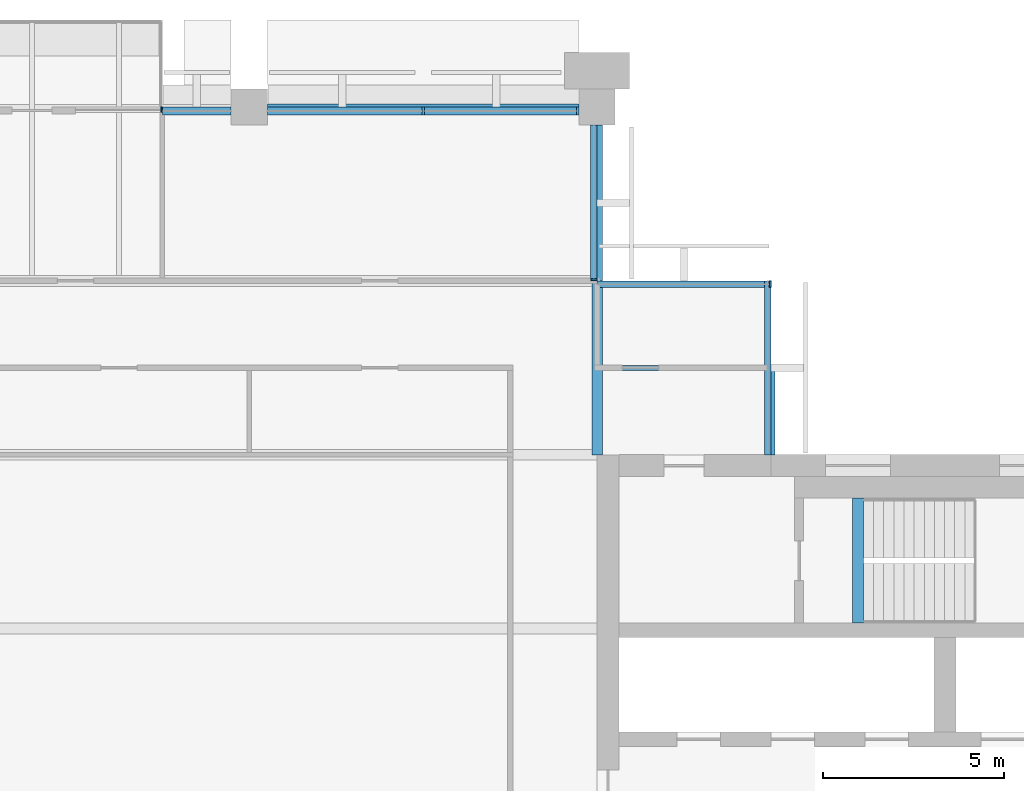
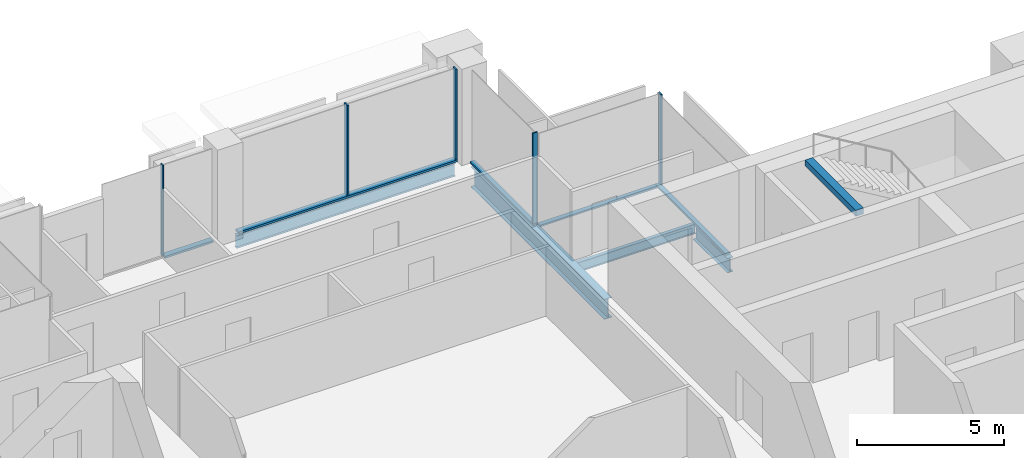
# One storey, part 6 of 14: 10 members, 5 beams, 5 elements without a shape of their own.
"""IFC4 building model written with IfcOpenShell, lengths in metres."""

from ifc_helpers import new_model, si_unit, direction, frame, origin, origin_2d, place, context, subcontext, project, spatial, rectangle, i_section, extrude, material, material_profile, profile_set, type_object, element, aggregate, save


model = new_model("IFC4")

# Units and contexts
model_context = context("Model", 3, precision=1e-05, world=origin(), true_north=direction((0.0, 1.0)))
body_context = subcontext(model_context, "Body", "Model", "MODEL_VIEW")
ifc_project = project(units=[si_unit("LENGTHUNIT", "METRE"), si_unit("AREAUNIT", "SQUARE_METRE"), si_unit("VOLUMEUNIT", "CUBIC_METRE"), si_unit("PLANEANGLEUNIT", "RADIAN"), si_unit("MASSUNIT", "GRAM", prefix="KILO")], contexts=[model_context])

# Site, building, storey
site_placement = place(None, origin())
site = spatial("IfcSite", under=ifc_project, at=site_placement, CompositionType="ELEMENT")
building_placement = place(site_placement, origin())
building = spatial("IfcBuilding", under=site, at=building_placement, Name="Baori Bourse Tower", CompositionType="ELEMENT")
storey_placement = place(building_placement, frame((0.0, 0.0, 290.300048828125)))
storey = spatial("IfcBuildingStorey", under=building, at=storey_placement, Name="L63", CompositionType="ELEMENT", Elevation=290.300048828125)

# Curtain wall, member
ifc_material_1 = material(Name="Pale anodised aluminium", Category="aluminium")
curtain_wall_type_1 = type_object("IfcCurtainWallType", Name="CW2 Curtain wall", PredefinedType="NOTDEFINED", material=ifc_material_1)
curtain_wall_1_placement = place(storey_placement, origin())
curtain_wall_1 = element("IfcCurtainWall", 1, at=curtain_wall_1_placement, inside=storey, type_object=curtain_wall_type_1, Name="Curtain wall CW2 L63 2", PredefinedType="NOTDEFINED")
ifc_material_2 = material(Name="Pale anodised aluminium", Category="aluminium")
ifc_material_profile_1 = material_profile(ifc_material_2, rectangle(XDim=0.179931640625, YDim=0.054931640625, at=origin_2d()), Name="Mullion 55x180")
ifc_profile_set_1 = profile_set([ifc_material_profile_1], Name="Pale anodised aluminium")
member_type_1 = type_object("IfcMemberType", Name="CW2 Curtain wall mullion", PredefinedType="MULLION", material=ifc_profile_set_1)
member_1_placement = place(storey_placement, frame((43.172607421875, 43.110107421875, 0.070068359375), z_axis=(0.0, 0.0, 1.0), x_axis=(0.0, -1.0, 0.0)))
member_1 = element("IfcMember", 2, at=member_1_placement, type_object=member_type_1, Name="Curtain wall CW2 mullion", PredefinedType="MULLION", context=body_context, shape_type="SweptSolid", body=[
    extrude(rectangle(XDim=0.179931640625, YDim=0.054931640625, at=origin_2d()), origin(), (0.0, 0.0, 1.0), 3.769775390625),
])

curtain_wall_2_placement = place(storey_placement, origin())
curtain_wall_2 = element("IfcCurtainWall", 3, at=curtain_wall_2_placement, inside=storey, type_object=curtain_wall_type_1, Name="Curtain wall CW2 L63 3", PredefinedType="NOTDEFINED")
member_2_placement = place(storey_placement, frame((38.31005859375, 43.2275390625, 0.070068359375), z_axis=(0.0, 0.0, 1.0), x_axis=(-1.0, 0.0, 0.0)))
member_2 = element("IfcMember", 4, at=member_2_placement, type_object=member_type_1, Name="Curtain wall CW2 mullion", PredefinedType="MULLION", context=body_context, shape_type="SweptSolid", body=[
    extrude(rectangle(XDim=0.179931640625, YDim=0.054931640625, at=origin_2d()), origin(), (0.0, 0.0, 1.0), 3.769775390625),
])

curtain_wall_3_placement = place(storey_placement, origin())
curtain_wall_3 = element("IfcCurtainWall", 5, at=curtain_wall_3_placement, inside=storey, type_object=curtain_wall_type_1, Name="Curtain wall CW2 L63 1", PredefinedType="NOTDEFINED")
ifc_material_3 = material(Name="Pale anodised aluminium", Category="aluminium")
ifc_material_profile_2 = material_profile(ifc_material_3, rectangle(XDim=0.179931640625, YDim=0.070068359375, at=origin_2d()), Name="Transom 70x180")
ifc_profile_set_2 = profile_set([ifc_material_profile_2], Name="Pale anodised aluminium")
member_type_2 = type_object("IfcMemberType", Name="CW2 Curtain wall transom", PredefinedType="USERDEFINED", material=ifc_profile_set_2)
member_3_placement = place(storey_placement, frame((43.110107421875, 38.39990234375, 0.034912109375), z_axis=(0.0, 1.0, 0.0), x_axis=(-1.0, 0.0, 0.0)))
member_3 = element("IfcMember", 6, at=member_3_placement, type_object=member_type_2, Name="Curtain wall CW2 sill rail", ObjectType="TRANSOM", PredefinedType="USERDEFINED", context=body_context, shape_type="SweptSolid", body=[
    extrude(rectangle(XDim=0.179931640625, YDim=0.070068359375, at=origin_2d()), origin(), (0.0, 0.0, 1.0), 4.800048828125),
])
aggregate(curtain_wall_3, [member_3])

# Member
member_4_placement = place(storey_placement, frame((43.199951171875, 43.110107421875, 0.034912109375), z_axis=(-1.0, 0.0, 0.0), x_axis=(0.0, -1.0, 0.0)))
member_4 = element("IfcMember", 7, at=member_4_placement, type_object=member_type_2, Name="Curtain wall CW2 sill rail", ObjectType="TRANSOM", PredefinedType="USERDEFINED", context=body_context, shape_type="SweptSolid", body=[
    extrude(rectangle(XDim=0.179931640625, YDim=0.070068359375, at=origin_2d()), origin(), (0.0, 0.0, 1.0), 4.800048828125),
])

aggregate(curtain_wall_1, [member_4, member_1])

member_5_placement = place(storey_placement, frame((38.31005859375, 43.199951171875, 0.034912109375), z_axis=(0.0, 1.0, 0.0), x_axis=(-1.0, 0.0, 0.0)))
member_5 = element("IfcMember", 8, at=member_5_placement, type_object=member_type_2, Name="Curtain wall CW2 sill rail", ObjectType="TRANSOM", PredefinedType="USERDEFINED", context=body_context, shape_type="SweptSolid", body=[
    extrude(rectangle(XDim=0.179931640625, YDim=0.070068359375, at=origin_2d()), origin(), (0.0, 0.0, 1.0), 4.300048828125),
])

aggregate(curtain_wall_2, [member_5, member_2])

# Curtain wall, members
ifc_material_4 = material(Name="Pale anodised aluminium", Category="aluminium")
curtain_wall_type_2 = type_object("IfcCurtainWallType", Name="CW5 Curtain wall", PredefinedType="NOTDEFINED", material=ifc_material_4)
curtain_wall_4_placement = place(storey_placement, origin())
curtain_wall_4 = element("IfcCurtainWall", 9, at=curtain_wall_4_placement, inside=storey, type_object=curtain_wall_type_2, Name="Curtain wall CW5 L63 4", PredefinedType="NOTDEFINED")
ifc_material_5 = material(Name="Pale anodised aluminium", Category="aluminium")
ifc_material_profile_3 = material_profile(ifc_material_5, rectangle(XDim=0.219970703125, YDim=0.06494140625, at=origin_2d()), Name="Mullion 65x220")
ifc_profile_set_3 = profile_set([ifc_material_profile_3], Name="Pale anodised aluminium")
member_type_3 = type_object("IfcMemberType", Name="CW5 Curtain wall mullion", PredefinedType="MULLION", material=ifc_profile_set_3)
member_6_placement = place(storey_placement, frame((37.867431640625, 47.889892578125, 0.0849609375), z_axis=(0.0, 0.0, 1.0), x_axis=(0.0, -1.0, 0.0)))
member_6 = element("IfcMember", 10, at=member_6_placement, type_object=member_type_3, Name="Curtain wall CW5 mullion", PredefinedType="MULLION", context=body_context, shape_type="SweptSolid", body=[
    extrude(rectangle(XDim=0.219970703125, YDim=0.06494140625, at=origin_2d()), origin(), (0.0, 0.0, 1.0), 3.7548828125),
])
member_7_placement = place(storey_placement, frame((33.60009765625, 47.889892578125, 0.0849609375), z_axis=(0.0, 0.0, 1.0), x_axis=(0.0, -1.0, 0.0)))
member_7 = element("IfcMember", 11, at=member_7_placement, type_object=member_type_3, Name="Curtain wall CW5 mullion", PredefinedType="MULLION", context=body_context, shape_type="SweptSolid", body=[
    extrude(rectangle(XDim=0.219970703125, YDim=0.06494140625, at=origin_2d()), origin(), (0.0, 0.0, 1.0), 3.7548828125),
])
ifc_material_6 = material(Name="Pale anodised aluminium", Category="aluminium")
ifc_material_profile_4 = material_profile(ifc_material_6, rectangle(XDim=0.219970703125, YDim=0.0849609375, at=origin_2d()), Name="Transom 85x220")
ifc_profile_set_4 = profile_set([ifc_material_profile_4], Name="Pale anodised aluminium")
member_type_4 = type_object("IfcMemberType", Name="CW5 Curtain wall transom", PredefinedType="USERDEFINED", material=ifc_profile_set_4)
member_8_placement = place(storey_placement, frame((37.89990234375, 47.889892578125, 0.04248046875), z_axis=(-1.0, 0.0, 0.0), x_axis=(0.0, -1.0, 0.0)))
member_8 = element("IfcMember", 12, at=member_8_placement, type_object=member_type_4, Name="Curtain wall CW5 sill rail", ObjectType="TRANSOM", PredefinedType="USERDEFINED", context=body_context, shape_type="SweptSolid", body=[
    extrude(rectangle(XDim=0.219970703125, YDim=0.0849609375, at=origin_2d()), origin(), (0.0, 0.0, 1.0), 8.599853515625),
])
member_9_placement = place(storey_placement, frame((28.300048828125, 47.889892578125, 0.04248046875), z_axis=(-1.0, 0.0, 0.0), x_axis=(0.0, -1.0, 0.0)))
member_9 = element("IfcMember", 13, at=member_9_placement, type_object=member_type_4, Name="Curtain wall CW5 sill rail", ObjectType="TRANSOM", PredefinedType="USERDEFINED", context=body_context, shape_type="SweptSolid", body=[
    extrude(rectangle(XDim=0.219970703125, YDim=0.0849609375, at=origin_2d()), origin(), (0.0, 0.0, 1.0), 1.900146484375),
])
aggregate(curtain_wall_4, [member_8, member_6, member_7, member_9])

# Curtain wall, member
ifc_material_7 = material(Name="Pale anodised aluminium", Category="aluminium")
curtain_wall_type_3 = type_object("IfcCurtainWallType", Name="CW6 Curtain wall", PredefinedType="NOTDEFINED", material=ifc_material_7)
curtain_wall_5_placement = place(storey_placement, origin())
curtain_wall_5 = element("IfcCurtainWall", 14, at=curtain_wall_5_placement, inside=storey, type_object=curtain_wall_type_3, Name="Curtain wall CW6 L63 5", PredefinedType="NOTDEFINED")
ifc_material_8 = material(Name="Pale anodised aluminium", Category="aluminium")
ifc_material_profile_5 = material_profile(ifc_material_8, rectangle(XDim=0.14990234375, YDim=0.050048828125, at=origin_2d()), Name="Mullion 50x150")
ifc_profile_set_5 = profile_set([ifc_material_profile_5], Name="Pale anodised aluminium")
member_type_5 = type_object("IfcMemberType", Name="CW6 Curtain wall mullion", PredefinedType="MULLION", material=ifc_profile_set_5)
member_10_placement = place(storey_placement, frame((26.375, 47.925048828125, 0.06494140625), z_axis=(0.0, 0.0, 1.0), x_axis=(0.0, -1.0, 0.0)))
member_10 = element("IfcMember", 15, at=member_10_placement, type_object=member_type_5, Name="Curtain wall CW6 mullion", PredefinedType="MULLION", context=body_context, shape_type="SweptSolid", body=[
    extrude(rectangle(XDim=0.14990234375, YDim=0.050048828125, at=origin_2d()), origin(), (0.0, 0.0, 1.0), 3.77490234375),
])
aggregate(curtain_wall_5, [member_10])

# Beams
ifc_material_9 = material(Name="Steel A992 Gr 50", Category="steel")
ifc_material_profile_6 = material_profile(ifc_material_9, i_section(OverallWidth=0.227783203125, OverallDepth=0.60205078125, WebThickness=0.010498046875, FlangeThickness=0.014892578125, at=origin_2d()), Name="W24x68")
ifc_profile_set_6 = profile_set([ifc_material_profile_6], Name="Steel A992 Gr 50")
beam_type_1 = type_object("IfcBeamType", Name="Core bracket W24x68", PredefinedType="BEAM", material=ifc_profile_set_6)
beam_1_placement = place(storey_placement, frame((43.199951171875, 38.39990234375, -0.4609375), z_axis=(0.0, 1.0, 0.0), x_axis=(-1.0, 0.0, 0.0)))
element("IfcBeam", 16, at=beam_1_placement, inside=storey, type_object=beam_type_1, Name="Core bracket L63", PredefinedType="BEAM", context=body_context, shape_type="SweptSolid", body=[
    extrude(i_section(OverallWidth=0.227783203125, OverallDepth=0.60205078125, WebThickness=0.010498046875, FlangeThickness=0.014892578125, at=origin_2d()), origin(), (0.0, 0.0, 1.0), 2.329833984375),
])
ifc_material_10 = material(Name="Steel A992 Gr 50", Category="steel")
ifc_material_profile_7 = material_profile(ifc_material_10, i_section(OverallWidth=0.1650390625, OverallDepth=0.52587890625, WebThickness=0.0087890625, FlangeThickness=0.011474609375, at=origin_2d()), Name="W21x44")
ifc_profile_set_7 = profile_set([ifc_material_profile_7], Name="Steel A992 Gr 50")
beam_type_2 = type_object("IfcBeamType", Name="Edge beam W21x44", PredefinedType="BEAM", material=ifc_profile_set_7)
beam_2_placement = place(storey_placement, frame((29.300048828125, 48.0, -0.4228515625), z_axis=(1.0, 0.0, 0.0), x_axis=(0.0, 1.0, 0.0)))
element("IfcBeam", 17, at=beam_2_placement, inside=storey, type_object=beam_type_2, Name="Edge beam L63", PredefinedType="BEAM", context=body_context, shape_type="SweptSolid", body=[
    extrude(i_section(OverallWidth=0.1650390625, OverallDepth=0.52587890625, WebThickness=0.0087890625, FlangeThickness=0.011474609375, at=origin_2d()), origin(), (0.0, 0.0, 1.0), 8.599853515625),
])
ifc_material_11 = material(Name="Steel A992 Gr 50", Category="steel")
ifc_material_profile_8 = material_profile(ifc_material_11, i_section(OverallWidth=0.2919921875, OverallDepth=0.835693359375, WebThickness=0.013916015625, FlangeThickness=0.018798828125, at=origin_2d()), Name="W33x118")
ifc_profile_set_8 = profile_set([ifc_material_profile_8], Name="Steel A992 Gr 50")
beam_type_3 = type_object("IfcBeamType", Name="Girder W33x118", PredefinedType="BEAM", material=ifc_profile_set_8)
beam_3_placement = place(storey_placement, frame((38.39990234375, 38.39990234375, -0.577880859375), z_axis=(0.0, 1.0, 0.0), x_axis=(-1.0, 0.0, 0.0)))
element("IfcBeam", 18, at=beam_3_placement, inside=storey, type_object=beam_type_3, Name="Girder L63", PredefinedType="BEAM", context=body_context, shape_type="SweptSolid", body=[
    extrude(i_section(OverallWidth=0.2919921875, OverallDepth=0.835693359375, WebThickness=0.013916015625, FlangeThickness=0.018798828125, at=origin_2d()), origin(), (0.0, 0.0, 1.0), 9.10009765625),
])
ifc_material_12 = material(Name="Concrete f'c 50 MPa", Category="concrete")
ifc_material_profile_9 = material_profile(ifc_material_12, rectangle(XDim=0.300048828125, YDim=0.25, at=origin_2d()), Name="RC 300x250")
ifc_profile_set_9 = profile_set([ifc_material_profile_9], Name="Concrete f'c 50 MPa")
beam_type_4 = type_object("IfcBeamType", Name="Stair nib beam RC 300x250", PredefinedType="BEAM", material=ifc_profile_set_9)
beam_4_placement = place(storey_placement, frame((45.60009765625, 33.75, 3.71484375), z_axis=(0.0, 1.0, 0.0), x_axis=(-1.0, 0.0, 0.0)))
element("IfcBeam", 19, at=beam_4_placement, inside=storey, type_object=beam_type_4, Name="Stair EB nib beam L64", PredefinedType="BEAM", context=body_context, shape_type="SweptSolid", body=[
    extrude(rectangle(XDim=0.300048828125, YDim=0.25, at=origin_2d()), origin(), (0.0, 0.0, 1.0), 3.449951171875),
])
ifc_material_13 = material(Name="Steel A992 Gr 50", Category="steel")
ifc_material_profile_10 = material_profile(ifc_material_13, i_section(OverallWidth=0.140380859375, OverallDepth=0.40380859375, WebThickness=0.007080078125, FlangeThickness=0.01123046875, at=origin_2d()), Name="W16x31")
ifc_profile_set_10 = profile_set([ifc_material_profile_10], Name="Steel A992 Gr 50")
beam_type_5 = type_object("IfcBeamType", Name="Trimmer beam W16x31", PredefinedType="BEAM", material=ifc_profile_set_10)
beam_5_placement = place(storey_placement, frame((38.546142578125, 40.800048828125, -0.362060546875), z_axis=(1.0, 0.0, 0.0), x_axis=(0.0, 1.0, 0.0)))
element("IfcBeam", 20, at=beam_5_placement, inside=storey, type_object=beam_type_5, Name="Trimmer beam L63", PredefinedType="BEAM", context=body_context, shape_type="SweptSolid", body=[
    extrude(i_section(OverallWidth=0.140380859375, OverallDepth=0.40380859375, WebThickness=0.007080078125, FlangeThickness=0.01123046875, at=origin_2d()), origin(), (0.0, 0.0, 1.0), 4.65380859375),
])

save(model, "model.ifc")
